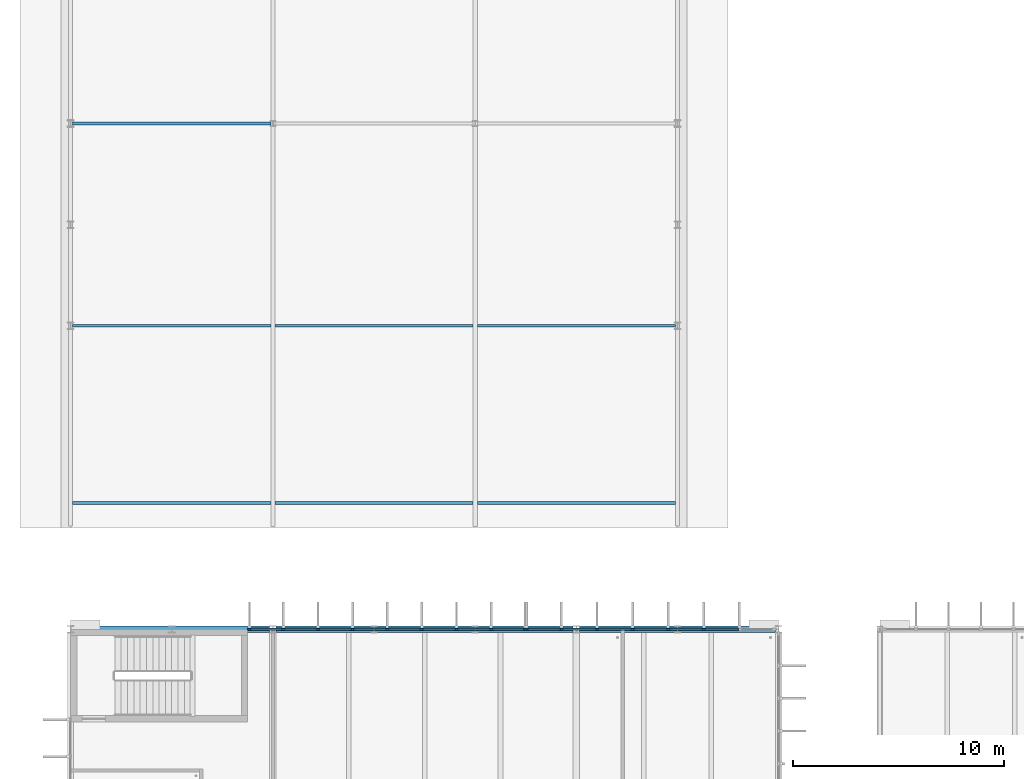
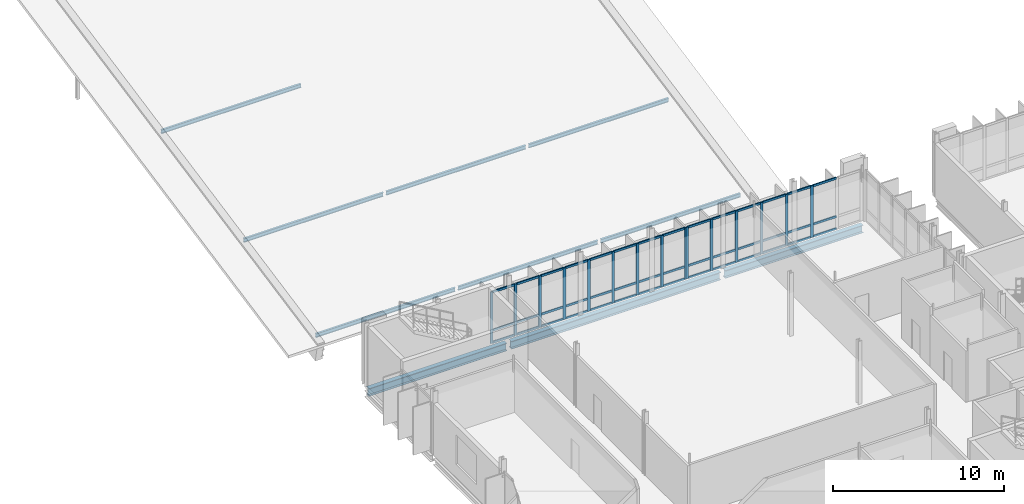
# One storey, part 19 of 59: 64 members, 3 beams, 2 elements without a shape of their own.
"""IFC4 building model written with IfcOpenShell, lengths in metres."""

import ifcopenshell
import ifcopenshell.guid

model = None  # the IFC model being written
_history = None  # IfcOwnerHistory: only IFC2X3 demands one
_inside = {}  # id of a spatial element -> (the spatial element, [elements in it])
_under = {}  # id of a project, library or spatial element -> (it, [spatial elements below it])
_declared = {}  # id of a project -> (the project, [libraries it declares])
_typed = {}  # id of a type object -> (the type object, [elements of that type])
_made_of = {}  # id of a material, layer set ... -> (it, [elements and type objects made of it])


def new_model(schema):
    """Start an empty IFC model of exactly this schema.

    Asked for "IFC4X3", IfcOpenShell would pick the latest addendum, in which some entities
    have other attributes; the version numbers below select the first issue.
    IFC2X3 requires an IfcOwnerHistory on every rooted entity: one is made here for all.
    """
    global model, _history
    if schema == "IFC4X3":
        model = ifcopenshell.file(schema_version=(4, 3, 0, 0))
    else:
        model = ifcopenshell.file(schema=schema)
    _inside.clear()
    _under.clear()
    _declared.clear()
    _typed.clear()
    _made_of.clear()
    _history = None
    if model.schema == "IFC2X3":
        org = make("IfcOrganization", Name="unknown")
        user = make(
            "IfcPersonAndOrganization",
            ThePerson=make("IfcPerson", FamilyName="unknown"),
            TheOrganization=org,
        )
        app = make(
            "IfcApplication",
            ApplicationDeveloper=org,
            Version="unknown",
            ApplicationFullName="unknown",
            ApplicationIdentifier="unknown",
        )
        _history = make(
            "IfcOwnerHistory",
            OwningUser=user,
            OwningApplication=app,
            ChangeAction="ADDED",
            CreationDate=0,
        )
    return model


def make(cls, **values):
    """One entity of the class cls with the attributes given. An attribute that is None is left unset."""
    return model.create_entity(
        cls, **{name: value for name, value in values.items() if value is not None}
    )


def rooted(cls, **values):
    """An entity with a GlobalId (a new one), such as an element, a storey or a relation."""
    return make(cls, GlobalId=ifcopenshell.guid.new(), OwnerHistory=_history, **values)


def si_unit(unit_type, name, prefix=None):
    """IfcSIUnit, for example si_unit("LENGTHUNIT", "METRE", prefix="MILLI")."""
    return make("IfcSIUnit", UnitType=unit_type, Prefix=prefix, Name=name)


def assignment(units):
    """IfcUnitAssignment: the units of a project."""
    return None if units is None else make("IfcUnitAssignment", Units=units)


def point(xyz):
    """IfcCartesianPoint."""
    return None if xyz is None else make("IfcCartesianPoint", Coordinates=xyz)


def direction(xyz):
    """IfcDirection."""
    return None if xyz is None else make("IfcDirection", DirectionRatios=xyz)


def frame(location, z_axis=None, x_axis=None):
    """IfcAxis2Placement3D, a coordinate frame: its origin and axes. An axis left out is left unset."""
    return make(
        "IfcAxis2Placement3D",
        Location=point(location),
        Axis=direction(z_axis),
        RefDirection=direction(x_axis),
    )


def frame_2d(location, x_axis=None):
    """IfcAxis2Placement2D, a coordinate frame in the plane: its origin and x axis."""
    return make(
        "IfcAxis2Placement2D", Location=point(location), RefDirection=direction(x_axis)
    )


def origin():
    """The frame at (0, 0, 0) with its axes left unset."""
    return frame((0.0, 0.0, 0.0))


def origin_2d():
    """The frame at (0, 0) in the plane with its x axis left unset."""
    return frame_2d((0.0, 0.0))


def place(relative_to, where):
    """IfcLocalPlacement: puts the frame where relative to a parent placement (None: the world)."""
    return make(
        "IfcLocalPlacement", PlacementRelTo=relative_to, RelativePlacement=where
    )


def context(
    kind, dimensions, precision=None, world=None, true_north=None, identifier=None
):
    """IfcGeometricRepresentationContext, for example the 3D "Model" context."""
    return make(
        "IfcGeometricRepresentationContext",
        ContextIdentifier=identifier,
        ContextType=kind,
        CoordinateSpaceDimension=dimensions,
        Precision=precision,
        WorldCoordinateSystem=world,
        TrueNorth=true_north,
    )


def subcontext(parent, identifier, kind, view, scale=None):
    """IfcGeometricRepresentationSubContext, for example "Body" below "Model"."""
    return make(
        "IfcGeometricRepresentationSubContext",
        ContextIdentifier=identifier,
        ContextType=kind,
        ParentContext=parent,
        TargetScale=scale,
        TargetView=view,
    )


def project(units=None, contexts=None):
    """IfcProject with its units and contexts."""
    return rooted(
        "IfcProject",
        Name="project",
        RepresentationContexts=contexts,
        UnitsInContext=assignment(units),
    )


def spatial(cls, under=None, at=None, **own):
    """A site, building, storey or space (cls), placed at a placement, below another one or the project."""
    s = rooted(cls, ObjectPlacement=at, **own)
    if under is not None:
        _under.setdefault(under.id(), (under, []))[1].append(s)
    return s


def profile(cls, at=None, kind="AREA", **sizes):
    """A parametric profile (cls). Its sizes go by their IFC names, for example OverallWidth=200.0."""
    return make(cls, ProfileType=kind, Position=at, **sizes)


def rectangle(**sizes):
    """IfcRectangleProfileDef."""
    return profile("IfcRectangleProfileDef", **sizes)


def i_section(**sizes):
    """IfcIShapeProfileDef."""
    return profile("IfcIShapeProfileDef", **sizes)


def extrude(swept, where, along, depth):
    """IfcExtrudedAreaSolid: the profile swept, set in the frame where, extruded along a direction by depth."""
    return make(
        "IfcExtrudedAreaSolid",
        SweptArea=swept,
        Position=where,
        ExtrudedDirection=direction(along),
        Depth=depth,
    )


def shape(context_of_items, identifier, shape_type, items):
    """IfcShapeRepresentation: the items that make up one representation, for example the "Body"."""
    return make(
        "IfcShapeRepresentation",
        ContextOfItems=context_of_items,
        RepresentationIdentifier=identifier,
        RepresentationType=shape_type,
        Items=items,
    )


def material(Name=None, Category=None):
    """IfcMaterial."""
    return make("IfcMaterial", Name=Name, Category=Category)


def material_profile(
    of_material, cross_section, Name=None, Category=None, Priority=None
):
    """IfcMaterialProfile: a cross section and its material."""
    return make(
        "IfcMaterialProfile",
        Name=Name,
        Material=of_material,
        Profile=cross_section,
        Priority=Priority,
        Category=Category,
    )


def profile_set(profiles, Name=None, composite=None):
    """IfcMaterialProfileSet."""
    return make(
        "IfcMaterialProfileSet",
        Name=Name,
        MaterialProfiles=profiles,
        CompositeProfile=composite,
    )


def made_of(thing, what):
    """Note that an element or type object is made of a material, layer set ...; save() writes the relation."""
    if what is not None:
        _made_of.setdefault(what.id(), (what, []))[1].append(thing)
    return thing


def type_object(cls, material=None, **own):
    """A type object (cls), such as IfcWallType, which elements share."""
    return made_of(rooted(cls, **own), material)


def element(
    cls,
    number,
    at=None,
    inside=None,
    cuts=None,
    type_object=None,
    material=None,
    context=None,
    identifier="Body",
    shape_type=None,
    held_by="IfcProductDefinitionShape",
    body=None,
    shapes=None,
    **own,
):
    """One element of the class cls, such as IfcWall. Its Tag is "e" and its number.

    at: its placement. inside: the storey or other place that contains it. cuts: it is an
    opening in that element (IfcRelVoidsElement). A single representation is given by context,
    identifier, shape_type and body (its items); several are given by shapes. held_by: the class
    of the entity that holds the representations. save() writes the other relations.
    """
    e = rooted(cls, Tag="e%d" % number, ObjectPlacement=at, **own)
    if body is not None:
        shapes = [shape(context, identifier, shape_type, body)]
    if shapes is not None:
        e.Representation = make(held_by, Representations=shapes)
    if inside is not None:
        _inside.setdefault(inside.id(), (inside, []))[1].append(e)
    if cuts is not None:
        rooted(
            "IfcRelVoidsElement", RelatingBuildingElement=cuts, RelatedOpeningElement=e
        )
    if type_object is not None:
        _typed.setdefault(type_object.id(), (type_object, []))[1].append(e)
    return made_of(e, material)


def aggregate(whole, parts):
    """IfcRelAggregates: a whole, such as a stair, and the parts it consists of."""
    return rooted("IfcRelAggregates", RelatingObject=whole, RelatedObjects=parts)


def save(model, path):
    """Write the relations noted so far, then the file.

    IfcRelAggregates (storeys below a building ...), IfcRelContainedInSpatialStructure (elements
    in a storey), IfcRelDefinesByType, IfcRelAssociatesMaterial and IfcRelDeclares: one each for
    every whole, place, type object, material and project.
    """
    for whole, parts in _under.values():
        aggregate(whole, parts)
    for where, things in _inside.values():
        rooted(
            "IfcRelContainedInSpatialStructure",
            RelatedElements=things,
            RelatingStructure=where,
        )
    for kind, things in _typed.values():
        rooted("IfcRelDefinesByType", RelatedObjects=things, RelatingType=kind)
    for what, things in _made_of.values():
        rooted("IfcRelAssociatesMaterial", RelatedObjects=things, RelatingMaterial=what)
    for by, libraries in _declared.values():
        rooted("IfcRelDeclares", RelatingContext=by, RelatedDefinitions=libraries)
    model.write(path)


model = new_model("IFC4")

# Units and contexts
model_context = context("Model", 3, precision=1e-05, world=origin(), true_north=direction((0.0, 1.0)))
body_context = subcontext(model_context, "Body", "Model", "MODEL_VIEW")
ifc_project = project(units=[si_unit("LENGTHUNIT", "METRE"), si_unit("AREAUNIT", "SQUARE_METRE"), si_unit("VOLUMEUNIT", "CUBIC_METRE"), si_unit("PLANEANGLEUNIT", "RADIAN"), si_unit("MASSUNIT", "GRAM", prefix="KILO")], contexts=[model_context])

# Site, building, storey
site_placement = place(None, origin())
site = spatial("IfcSite", under=ifc_project, at=site_placement, CompositionType="ELEMENT")
building_placement = place(site_placement, origin())
building = spatial("IfcBuilding", under=site, at=building_placement, Name="Dunescarp Central Library", CompositionType="ELEMENT")
storey_placement = place(building_placement, frame((0.0, 0.0, 18.60009765625)))
storey = spatial("IfcBuildingStorey", under=building, at=storey_placement, Name="L04", CompositionType="ELEMENT", Elevation=18.60009765625)

# Curtain wall, members
ifc_material_1 = material(Name="Marine-grade anodised aluminium 6063-T6", Category="aluminium")
curtain_wall_type = type_object("IfcCurtainWallType", Name="ARC-CW-STICK", PredefinedType="NOTDEFINED", material=ifc_material_1)
curtain_wall_1_placement = place(storey_placement, origin())
curtain_wall_1 = element("IfcCurtainWall", 1, at=curtain_wall_1_placement, inside=storey, type_object=curtain_wall_type, Name="L04 curtain wall CW-V1-026", PredefinedType="NOTDEFINED")
ifc_material_profile_1 = material_profile(ifc_material_1, rectangle(XDim=0.080078125, YDim=0.179931640625, at=origin_2d()), Name="AL 80x180")
ifc_profile_set_1 = profile_set([ifc_material_profile_1], Name="Marine-grade anodised aluminium 6063-T6")
member_type_1 = type_object("IfcMemberType", Name="ARC-CWM-180", PredefinedType="MULLION", material=ifc_profile_set_1)
member_1_placement = place(storey_placement, frame((21.639892578125, 36.800048828125, 0.0), z_axis=(0.0, 0.0, 1.0), x_axis=(0.0, 1.0, 0.0)))
member_1 = element("IfcMember", 2, at=member_1_placement, type_object=member_type_1, Name="CW-V1-026 mullion 1", PredefinedType="MULLION", context=body_context, shape_type="SweptSolid", body=[
    extrude(rectangle(XDim=0.080078125, YDim=0.179931640625, at=origin_2d()), origin(), (0.0, 0.0, 1.0), 3.664794921875),
])
member_2_placement = place(storey_placement, frame((23.289306640625, 36.800048828125, 0.0), z_axis=(0.0, 0.0, 1.0), x_axis=(0.0, 1.0, 0.0)))
member_2 = element("IfcMember", 3, at=member_2_placement, type_object=member_type_1, Name="CW-V1-026 mullion 2", PredefinedType="MULLION", context=body_context, shape_type="SweptSolid", body=[
    extrude(rectangle(XDim=0.080078125, YDim=0.179931640625, at=origin_2d()), origin(), (0.0, 0.0, 1.0), 3.664794921875),
])
member_3_placement = place(storey_placement, frame((24.978515625, 36.800048828125, 0.0), z_axis=(0.0, 0.0, 1.0), x_axis=(0.0, 1.0, 0.0)))
member_3 = element("IfcMember", 4, at=member_3_placement, type_object=member_type_1, Name="CW-V1-026 mullion 3", PredefinedType="MULLION", context=body_context, shape_type="SweptSolid", body=[
    extrude(rectangle(XDim=0.080078125, YDim=0.179931640625, at=origin_2d()), origin(), (0.0, 0.0, 1.0), 3.664794921875),
])
member_4_placement = place(storey_placement, frame((26.66796875, 36.800048828125, 0.0), z_axis=(0.0, 0.0, 1.0), x_axis=(0.0, 1.0, 0.0)))
member_4 = element("IfcMember", 5, at=member_4_placement, type_object=member_type_1, Name="CW-V1-026 mullion 4", PredefinedType="MULLION", context=body_context, shape_type="SweptSolid", body=[
    extrude(rectangle(XDim=0.080078125, YDim=0.179931640625, at=origin_2d()), origin(), (0.0, 0.0, 1.0), 3.664794921875),
])
member_5_placement = place(storey_placement, frame((28.357177734375, 36.800048828125, 0.0), z_axis=(0.0, 0.0, 1.0), x_axis=(0.0, 1.0, 0.0)))
member_5 = element("IfcMember", 6, at=member_5_placement, type_object=member_type_1, Name="CW-V1-026 mullion 5", PredefinedType="MULLION", context=body_context, shape_type="SweptSolid", body=[
    extrude(rectangle(XDim=0.080078125, YDim=0.179931640625, at=origin_2d()), origin(), (0.0, 0.0, 1.0), 3.664794921875),
])
member_6_placement = place(storey_placement, frame((30.04638671875, 36.800048828125, 0.0), z_axis=(0.0, 0.0, 1.0), x_axis=(0.0, 1.0, 0.0)))
member_6 = element("IfcMember", 7, at=member_6_placement, type_object=member_type_1, Name="CW-V1-026 mullion 6", PredefinedType="MULLION", context=body_context, shape_type="SweptSolid", body=[
    extrude(rectangle(XDim=0.080078125, YDim=0.179931640625, at=origin_2d()), origin(), (0.0, 0.0, 1.0), 3.664794921875),
])

curtain_wall_2_placement = place(storey_placement, origin())
curtain_wall_2 = element("IfcCurtainWall", 8, at=curtain_wall_2_placement, inside=storey, type_object=curtain_wall_type, Name="L04 curtain wall CW-V1-027", PredefinedType="NOTDEFINED")
member_7_placement = place(storey_placement, frame((8.489990234375, 36.800048828125, 0.0), z_axis=(0.0, 0.0, 1.0), x_axis=(0.0, 1.0, 0.0)))
member_7 = element("IfcMember", 9, at=member_7_placement, type_object=member_type_1, Name="CW-V1-027 mullion 1", PredefinedType="MULLION", context=body_context, shape_type="SweptSolid", body=[
    extrude(rectangle(XDim=0.080078125, YDim=0.179931640625, at=origin_2d()), origin(), (0.0, 0.0, 1.0), 3.664794921875),
])
member_8_placement = place(storey_placement, frame((10.09375, 36.800048828125, 0.0), z_axis=(0.0, 0.0, 1.0), x_axis=(0.0, 1.0, 0.0)))
member_8 = element("IfcMember", 10, at=member_8_placement, type_object=member_type_1, Name="CW-V1-027 mullion 2", PredefinedType="MULLION", context=body_context, shape_type="SweptSolid", body=[
    extrude(rectangle(XDim=0.080078125, YDim=0.179931640625, at=origin_2d()), origin(), (0.0, 0.0, 1.0), 3.664794921875),
])
member_9_placement = place(storey_placement, frame((11.737548828125, 36.800048828125, 0.0), z_axis=(0.0, 0.0, 1.0), x_axis=(0.0, 1.0, 0.0)))
member_9 = element("IfcMember", 11, at=member_9_placement, type_object=member_type_1, Name="CW-V1-027 mullion 3", PredefinedType="MULLION", context=body_context, shape_type="SweptSolid", body=[
    extrude(rectangle(XDim=0.080078125, YDim=0.179931640625, at=origin_2d()), origin(), (0.0, 0.0, 1.0), 3.664794921875),
])
member_10_placement = place(storey_placement, frame((13.38134765625, 36.800048828125, 0.0), z_axis=(0.0, 0.0, 1.0), x_axis=(0.0, 1.0, 0.0)))
member_10 = element("IfcMember", 12, at=member_10_placement, type_object=member_type_1, Name="CW-V1-027 mullion 4", PredefinedType="MULLION", context=body_context, shape_type="SweptSolid", body=[
    extrude(rectangle(XDim=0.080078125, YDim=0.179931640625, at=origin_2d()), origin(), (0.0, 0.0, 1.0), 3.664794921875),
])
member_11_placement = place(storey_placement, frame((15.02490234375, 36.800048828125, 0.0), z_axis=(0.0, 0.0, 1.0), x_axis=(0.0, 1.0, 0.0)))
member_11 = element("IfcMember", 13, at=member_11_placement, type_object=member_type_1, Name="CW-V1-027 mullion 5", PredefinedType="MULLION", context=body_context, shape_type="SweptSolid", body=[
    extrude(rectangle(XDim=0.080078125, YDim=0.179931640625, at=origin_2d()), origin(), (0.0, 0.0, 1.0), 3.664794921875),
])
member_12_placement = place(storey_placement, frame((16.668701171875, 36.800048828125, 0.0), z_axis=(0.0, 0.0, 1.0), x_axis=(0.0, 1.0, 0.0)))
member_12 = element("IfcMember", 14, at=member_12_placement, type_object=member_type_1, Name="CW-V1-027 mullion 6", PredefinedType="MULLION", context=body_context, shape_type="SweptSolid", body=[
    extrude(rectangle(XDim=0.080078125, YDim=0.179931640625, at=origin_2d()), origin(), (0.0, 0.0, 1.0), 3.664794921875),
])
member_13_placement = place(storey_placement, frame((18.3125, 36.800048828125, 0.0), z_axis=(0.0, 0.0, 1.0), x_axis=(0.0, 1.0, 0.0)))
member_13 = element("IfcMember", 15, at=member_13_placement, type_object=member_type_1, Name="CW-V1-027 mullion 7", PredefinedType="MULLION", context=body_context, shape_type="SweptSolid", body=[
    extrude(rectangle(XDim=0.080078125, YDim=0.179931640625, at=origin_2d()), origin(), (0.0, 0.0, 1.0), 3.664794921875),
])
member_14_placement = place(storey_placement, frame((19.956298828125, 36.800048828125, 0.0), z_axis=(0.0, 0.0, 1.0), x_axis=(0.0, 1.0, 0.0)))
member_14 = element("IfcMember", 16, at=member_14_placement, type_object=member_type_1, Name="CW-V1-027 mullion 8", PredefinedType="MULLION", context=body_context, shape_type="SweptSolid", body=[
    extrude(rectangle(XDim=0.080078125, YDim=0.179931640625, at=origin_2d()), origin(), (0.0, 0.0, 1.0), 3.664794921875),
])
member_15_placement = place(storey_placement, frame((21.56005859375, 36.800048828125, 0.0), z_axis=(0.0, 0.0, 1.0), x_axis=(0.0, 1.0, 0.0)))
member_15 = element("IfcMember", 17, at=member_15_placement, type_object=member_type_1, Name="CW-V1-027 mullion 9", PredefinedType="MULLION", context=body_context, shape_type="SweptSolid", body=[
    extrude(rectangle(XDim=0.080078125, YDim=0.179931640625, at=origin_2d()), origin(), (0.0, 0.0, 1.0), 3.664794921875),
])

# Member
ifc_material_profile_2 = material_profile(ifc_material_1, rectangle(XDim=0.080078125, YDim=0.14990234375, at=origin_2d()), Name="AL 80x150")
ifc_profile_set_2 = profile_set([ifc_material_profile_2], Name="Marine-grade anodised aluminium 6063-T6")
member_type_2 = type_object("IfcMemberType", Name="ARC-CWT-150", PredefinedType="USERDEFINED", material=ifc_profile_set_2)
member_16_placement = place(storey_placement, frame((21.679931640625, 36.800048828125, 0.039794921875), z_axis=(1.0, 0.0, 0.0), x_axis=(0.0, 1.0, 0.0)))
member_16 = element("IfcMember", 18, at=member_16_placement, type_object=member_type_2, Name="CW-V1-026 transom 1.1", ObjectType="TRANSOM", PredefinedType="USERDEFINED", context=body_context, shape_type="SweptSolid", body=[
    extrude(rectangle(XDim=0.080078125, YDim=0.14990234375, at=origin_2d()), origin(), (0.0, 0.0, 1.0), 1.5693359375),
])

member_17_placement = place(storey_placement, frame((21.679931640625, 36.800048828125, 0.89990234375), z_axis=(1.0, 0.0, 0.0), x_axis=(0.0, 1.0, 0.0)))
member_17 = element("IfcMember", 19, at=member_17_placement, type_object=member_type_2, Name="CW-V1-026 transom 1.2", ObjectType="TRANSOM", PredefinedType="USERDEFINED", context=body_context, shape_type="SweptSolid", body=[
    extrude(rectangle(XDim=0.080078125, YDim=0.14990234375, at=origin_2d()), origin(), (0.0, 0.0, 1.0), 1.5693359375),
])

member_18_placement = place(storey_placement, frame((21.679931640625, 36.800048828125, 3.625), z_axis=(1.0, 0.0, 0.0), x_axis=(0.0, 1.0, 0.0)))
member_18 = element("IfcMember", 20, at=member_18_placement, type_object=member_type_2, Name="CW-V1-026 transom 1.3", ObjectType="TRANSOM", PredefinedType="USERDEFINED", context=body_context, shape_type="SweptSolid", body=[
    extrude(rectangle(XDim=0.080078125, YDim=0.14990234375, at=origin_2d()), origin(), (0.0, 0.0, 1.0), 1.5693359375),
])

member_19_placement = place(storey_placement, frame((23.329345703125, 36.800048828125, 0.039794921875), z_axis=(1.0, 0.0, 0.0), x_axis=(0.0, 1.0, 0.0)))
member_19 = element("IfcMember", 21, at=member_19_placement, type_object=member_type_2, Name="CW-V1-026 transom 2.1", ObjectType="TRANSOM", PredefinedType="USERDEFINED", context=body_context, shape_type="SweptSolid", body=[
    extrude(rectangle(XDim=0.080078125, YDim=0.14990234375, at=origin_2d()), origin(), (0.0, 0.0, 1.0), 1.609130859375),
])

member_20_placement = place(storey_placement, frame((23.329345703125, 36.800048828125, 0.89990234375), z_axis=(1.0, 0.0, 0.0), x_axis=(0.0, 1.0, 0.0)))
member_20 = element("IfcMember", 22, at=member_20_placement, type_object=member_type_2, Name="CW-V1-026 transom 2.2", ObjectType="TRANSOM", PredefinedType="USERDEFINED", context=body_context, shape_type="SweptSolid", body=[
    extrude(rectangle(XDim=0.080078125, YDim=0.14990234375, at=origin_2d()), origin(), (0.0, 0.0, 1.0), 1.609130859375),
])

member_21_placement = place(storey_placement, frame((23.329345703125, 36.800048828125, 3.625), z_axis=(1.0, 0.0, 0.0), x_axis=(0.0, 1.0, 0.0)))
member_21 = element("IfcMember", 23, at=member_21_placement, type_object=member_type_2, Name="CW-V1-026 transom 2.3", ObjectType="TRANSOM", PredefinedType="USERDEFINED", context=body_context, shape_type="SweptSolid", body=[
    extrude(rectangle(XDim=0.080078125, YDim=0.14990234375, at=origin_2d()), origin(), (0.0, 0.0, 1.0), 1.609130859375),
])

member_22_placement = place(storey_placement, frame((25.0185546875, 36.800048828125, 0.039794921875), z_axis=(1.0, 0.0, 0.0), x_axis=(0.0, 1.0, 0.0)))
member_22 = element("IfcMember", 24, at=member_22_placement, type_object=member_type_2, Name="CW-V1-026 transom 3.1", ObjectType="TRANSOM", PredefinedType="USERDEFINED", context=body_context, shape_type="SweptSolid", body=[
    extrude(rectangle(XDim=0.080078125, YDim=0.14990234375, at=origin_2d()), origin(), (0.0, 0.0, 1.0), 1.609375),
])

member_23_placement = place(storey_placement, frame((25.0185546875, 36.800048828125, 0.89990234375), z_axis=(1.0, 0.0, 0.0), x_axis=(0.0, 1.0, 0.0)))
member_23 = element("IfcMember", 25, at=member_23_placement, type_object=member_type_2, Name="CW-V1-026 transom 3.2", ObjectType="TRANSOM", PredefinedType="USERDEFINED", context=body_context, shape_type="SweptSolid", body=[
    extrude(rectangle(XDim=0.080078125, YDim=0.14990234375, at=origin_2d()), origin(), (0.0, 0.0, 1.0), 1.609375),
])

member_24_placement = place(storey_placement, frame((25.0185546875, 36.800048828125, 3.625), z_axis=(1.0, 0.0, 0.0), x_axis=(0.0, 1.0, 0.0)))
member_24 = element("IfcMember", 26, at=member_24_placement, type_object=member_type_2, Name="CW-V1-026 transom 3.3", ObjectType="TRANSOM", PredefinedType="USERDEFINED", context=body_context, shape_type="SweptSolid", body=[
    extrude(rectangle(XDim=0.080078125, YDim=0.14990234375, at=origin_2d()), origin(), (0.0, 0.0, 1.0), 1.609375),
])

member_25_placement = place(storey_placement, frame((26.707763671875, 36.800048828125, 0.039794921875), z_axis=(1.0, 0.0, 0.0), x_axis=(0.0, 1.0, 0.0)))
member_25 = element("IfcMember", 27, at=member_25_placement, type_object=member_type_2, Name="CW-V1-026 transom 4.1", ObjectType="TRANSOM", PredefinedType="USERDEFINED", context=body_context, shape_type="SweptSolid", body=[
    extrude(rectangle(XDim=0.080078125, YDim=0.14990234375, at=origin_2d()), origin(), (0.0, 0.0, 1.0), 1.609375),
])

member_26_placement = place(storey_placement, frame((26.707763671875, 36.800048828125, 0.89990234375), z_axis=(1.0, 0.0, 0.0), x_axis=(0.0, 1.0, 0.0)))
member_26 = element("IfcMember", 28, at=member_26_placement, type_object=member_type_2, Name="CW-V1-026 transom 4.2", ObjectType="TRANSOM", PredefinedType="USERDEFINED", context=body_context, shape_type="SweptSolid", body=[
    extrude(rectangle(XDim=0.080078125, YDim=0.14990234375, at=origin_2d()), origin(), (0.0, 0.0, 1.0), 1.609375),
])

member_27_placement = place(storey_placement, frame((26.707763671875, 36.800048828125, 3.625), z_axis=(1.0, 0.0, 0.0), x_axis=(0.0, 1.0, 0.0)))
member_27 = element("IfcMember", 29, at=member_27_placement, type_object=member_type_2, Name="CW-V1-026 transom 4.3", ObjectType="TRANSOM", PredefinedType="USERDEFINED", context=body_context, shape_type="SweptSolid", body=[
    extrude(rectangle(XDim=0.080078125, YDim=0.14990234375, at=origin_2d()), origin(), (0.0, 0.0, 1.0), 1.609375),
])

member_28_placement = place(storey_placement, frame((28.397216796875, 36.800048828125, 0.039794921875), z_axis=(1.0, 0.0, 0.0), x_axis=(0.0, 1.0, 0.0)))
member_28 = element("IfcMember", 30, at=member_28_placement, type_object=member_type_2, Name="CW-V1-026 transom 5.1", ObjectType="TRANSOM", PredefinedType="USERDEFINED", context=body_context, shape_type="SweptSolid", body=[
    extrude(rectangle(XDim=0.080078125, YDim=0.14990234375, at=origin_2d()), origin(), (0.0, 0.0, 1.0), 1.609130859375),
])

member_29_placement = place(storey_placement, frame((28.397216796875, 36.800048828125, 0.89990234375), z_axis=(1.0, 0.0, 0.0), x_axis=(0.0, 1.0, 0.0)))
member_29 = element("IfcMember", 31, at=member_29_placement, type_object=member_type_2, Name="CW-V1-026 transom 5.2", ObjectType="TRANSOM", PredefinedType="USERDEFINED", context=body_context, shape_type="SweptSolid", body=[
    extrude(rectangle(XDim=0.080078125, YDim=0.14990234375, at=origin_2d()), origin(), (0.0, 0.0, 1.0), 1.609130859375),
])

member_30_placement = place(storey_placement, frame((28.397216796875, 36.800048828125, 3.625), z_axis=(1.0, 0.0, 0.0), x_axis=(0.0, 1.0, 0.0)))
member_30 = element("IfcMember", 32, at=member_30_placement, type_object=member_type_2, Name="CW-V1-026 transom 5.3", ObjectType="TRANSOM", PredefinedType="USERDEFINED", context=body_context, shape_type="SweptSolid", body=[
    extrude(rectangle(XDim=0.080078125, YDim=0.14990234375, at=origin_2d()), origin(), (0.0, 0.0, 1.0), 1.609130859375),
])

member_31_placement = place(storey_placement, frame((30.08642578125, 36.800048828125, 0.039794921875), z_axis=(1.0, 0.0, 0.0), x_axis=(0.0, 1.0, 0.0)))
member_31 = element("IfcMember", 33, at=member_31_placement, type_object=member_type_2, Name="CW-V1-026 transom 6.1", ObjectType="TRANSOM", PredefinedType="USERDEFINED", context=body_context, shape_type="SweptSolid", body=[
    extrude(rectangle(XDim=0.080078125, YDim=0.14990234375, at=origin_2d()), origin(), (0.0, 0.0, 1.0), 1.609375),
])

member_32_placement = place(storey_placement, frame((30.08642578125, 36.800048828125, 0.89990234375), z_axis=(1.0, 0.0, 0.0), x_axis=(0.0, 1.0, 0.0)))
member_32 = element("IfcMember", 34, at=member_32_placement, type_object=member_type_2, Name="CW-V1-026 transom 6.2", ObjectType="TRANSOM", PredefinedType="USERDEFINED", context=body_context, shape_type="SweptSolid", body=[
    extrude(rectangle(XDim=0.080078125, YDim=0.14990234375, at=origin_2d()), origin(), (0.0, 0.0, 1.0), 1.609375),
])

member_33_placement = place(storey_placement, frame((30.08642578125, 36.800048828125, 3.625), z_axis=(1.0, 0.0, 0.0), x_axis=(0.0, 1.0, 0.0)))
member_33 = element("IfcMember", 35, at=member_33_placement, type_object=member_type_2, Name="CW-V1-026 transom 6.3", ObjectType="TRANSOM", PredefinedType="USERDEFINED", context=body_context, shape_type="SweptSolid", body=[
    extrude(rectangle(XDim=0.080078125, YDim=0.14990234375, at=origin_2d()), origin(), (0.0, 0.0, 1.0), 1.609375),
])

aggregate(curtain_wall_1, [member_1, member_2, member_3, member_4, member_5, member_6, member_16, member_17, member_18, member_19, member_20, member_21, member_22, member_23, member_24, member_25, member_26, member_27, member_28, member_29, member_30, member_31, member_32, member_33])

member_34_placement = place(storey_placement, frame((8.530029296875, 36.800048828125, 0.039794921875), z_axis=(1.0, 0.0, 0.0), x_axis=(0.0, 1.0, 0.0)))
member_34 = element("IfcMember", 36, at=member_34_placement, type_object=member_type_2, Name="CW-V1-027 transom 1.1", ObjectType="TRANSOM", PredefinedType="USERDEFINED", context=body_context, shape_type="SweptSolid", body=[
    extrude(rectangle(XDim=0.080078125, YDim=0.14990234375, at=origin_2d()), origin(), (0.0, 0.0, 1.0), 1.523681640625),
])

member_35_placement = place(storey_placement, frame((8.530029296875, 36.800048828125, 0.89990234375), z_axis=(1.0, 0.0, 0.0), x_axis=(0.0, 1.0, 0.0)))
member_35 = element("IfcMember", 37, at=member_35_placement, type_object=member_type_2, Name="CW-V1-027 transom 1.2", ObjectType="TRANSOM", PredefinedType="USERDEFINED", context=body_context, shape_type="SweptSolid", body=[
    extrude(rectangle(XDim=0.080078125, YDim=0.14990234375, at=origin_2d()), origin(), (0.0, 0.0, 1.0), 1.523681640625),
])

member_36_placement = place(storey_placement, frame((8.530029296875, 36.800048828125, 3.625), z_axis=(1.0, 0.0, 0.0), x_axis=(0.0, 1.0, 0.0)))
member_36 = element("IfcMember", 38, at=member_36_placement, type_object=member_type_2, Name="CW-V1-027 transom 1.3", ObjectType="TRANSOM", PredefinedType="USERDEFINED", context=body_context, shape_type="SweptSolid", body=[
    extrude(rectangle(XDim=0.080078125, YDim=0.14990234375, at=origin_2d()), origin(), (0.0, 0.0, 1.0), 1.523681640625),
])

member_37_placement = place(storey_placement, frame((10.1337890625, 36.800048828125, 0.039794921875), z_axis=(1.0, 0.0, 0.0), x_axis=(0.0, 1.0, 0.0)))
member_37 = element("IfcMember", 39, at=member_37_placement, type_object=member_type_2, Name="CW-V1-027 transom 2.1", ObjectType="TRANSOM", PredefinedType="USERDEFINED", context=body_context, shape_type="SweptSolid", body=[
    extrude(rectangle(XDim=0.080078125, YDim=0.14990234375, at=origin_2d()), origin(), (0.0, 0.0, 1.0), 1.563720703125),
])

member_38_placement = place(storey_placement, frame((10.1337890625, 36.800048828125, 0.89990234375), z_axis=(1.0, 0.0, 0.0), x_axis=(0.0, 1.0, 0.0)))
member_38 = element("IfcMember", 40, at=member_38_placement, type_object=member_type_2, Name="CW-V1-027 transom 2.2", ObjectType="TRANSOM", PredefinedType="USERDEFINED", context=body_context, shape_type="SweptSolid", body=[
    extrude(rectangle(XDim=0.080078125, YDim=0.14990234375, at=origin_2d()), origin(), (0.0, 0.0, 1.0), 1.563720703125),
])

member_39_placement = place(storey_placement, frame((10.1337890625, 36.800048828125, 3.625), z_axis=(1.0, 0.0, 0.0), x_axis=(0.0, 1.0, 0.0)))
member_39 = element("IfcMember", 41, at=member_39_placement, type_object=member_type_2, Name="CW-V1-027 transom 2.3", ObjectType="TRANSOM", PredefinedType="USERDEFINED", context=body_context, shape_type="SweptSolid", body=[
    extrude(rectangle(XDim=0.080078125, YDim=0.14990234375, at=origin_2d()), origin(), (0.0, 0.0, 1.0), 1.563720703125),
])

member_40_placement = place(storey_placement, frame((11.777587890625, 36.800048828125, 0.039794921875), z_axis=(1.0, 0.0, 0.0), x_axis=(0.0, 1.0, 0.0)))
member_40 = element("IfcMember", 42, at=member_40_placement, type_object=member_type_2, Name="CW-V1-027 transom 3.1", ObjectType="TRANSOM", PredefinedType="USERDEFINED", context=body_context, shape_type="SweptSolid", body=[
    extrude(rectangle(XDim=0.080078125, YDim=0.14990234375, at=origin_2d()), origin(), (0.0, 0.0, 1.0), 1.563720703125),
])

member_41_placement = place(storey_placement, frame((11.777587890625, 36.800048828125, 0.89990234375), z_axis=(1.0, 0.0, 0.0), x_axis=(0.0, 1.0, 0.0)))
member_41 = element("IfcMember", 43, at=member_41_placement, type_object=member_type_2, Name="CW-V1-027 transom 3.2", ObjectType="TRANSOM", PredefinedType="USERDEFINED", context=body_context, shape_type="SweptSolid", body=[
    extrude(rectangle(XDim=0.080078125, YDim=0.14990234375, at=origin_2d()), origin(), (0.0, 0.0, 1.0), 1.563720703125),
])

member_42_placement = place(storey_placement, frame((11.777587890625, 36.800048828125, 3.625), z_axis=(1.0, 0.0, 0.0), x_axis=(0.0, 1.0, 0.0)))
member_42 = element("IfcMember", 44, at=member_42_placement, type_object=member_type_2, Name="CW-V1-027 transom 3.3", ObjectType="TRANSOM", PredefinedType="USERDEFINED", context=body_context, shape_type="SweptSolid", body=[
    extrude(rectangle(XDim=0.080078125, YDim=0.14990234375, at=origin_2d()), origin(), (0.0, 0.0, 1.0), 1.563720703125),
])

member_43_placement = place(storey_placement, frame((13.421142578125, 36.800048828125, 0.039794921875), z_axis=(1.0, 0.0, 0.0), x_axis=(0.0, 1.0, 0.0)))
member_43 = element("IfcMember", 45, at=member_43_placement, type_object=member_type_2, Name="CW-V1-027 transom 4.1", ObjectType="TRANSOM", PredefinedType="USERDEFINED", context=body_context, shape_type="SweptSolid", body=[
    extrude(rectangle(XDim=0.080078125, YDim=0.14990234375, at=origin_2d()), origin(), (0.0, 0.0, 1.0), 1.56396484375),
])

member_44_placement = place(storey_placement, frame((13.421142578125, 36.800048828125, 0.89990234375), z_axis=(1.0, 0.0, 0.0), x_axis=(0.0, 1.0, 0.0)))
member_44 = element("IfcMember", 46, at=member_44_placement, type_object=member_type_2, Name="CW-V1-027 transom 4.2", ObjectType="TRANSOM", PredefinedType="USERDEFINED", context=body_context, shape_type="SweptSolid", body=[
    extrude(rectangle(XDim=0.080078125, YDim=0.14990234375, at=origin_2d()), origin(), (0.0, 0.0, 1.0), 1.56396484375),
])

member_45_placement = place(storey_placement, frame((13.421142578125, 36.800048828125, 3.625), z_axis=(1.0, 0.0, 0.0), x_axis=(0.0, 1.0, 0.0)))
member_45 = element("IfcMember", 47, at=member_45_placement, type_object=member_type_2, Name="CW-V1-027 transom 4.3", ObjectType="TRANSOM", PredefinedType="USERDEFINED", context=body_context, shape_type="SweptSolid", body=[
    extrude(rectangle(XDim=0.080078125, YDim=0.14990234375, at=origin_2d()), origin(), (0.0, 0.0, 1.0), 1.56396484375),
])

member_46_placement = place(storey_placement, frame((15.06494140625, 36.800048828125, 0.039794921875), z_axis=(1.0, 0.0, 0.0), x_axis=(0.0, 1.0, 0.0)))
member_46 = element("IfcMember", 48, at=member_46_placement, type_object=member_type_2, Name="CW-V1-027 transom 5.1", ObjectType="TRANSOM", PredefinedType="USERDEFINED", context=body_context, shape_type="SweptSolid", body=[
    extrude(rectangle(XDim=0.080078125, YDim=0.14990234375, at=origin_2d()), origin(), (0.0, 0.0, 1.0), 1.563720703125),
])

member_47_placement = place(storey_placement, frame((15.06494140625, 36.800048828125, 0.89990234375), z_axis=(1.0, 0.0, 0.0), x_axis=(0.0, 1.0, 0.0)))
member_47 = element("IfcMember", 49, at=member_47_placement, type_object=member_type_2, Name="CW-V1-027 transom 5.2", ObjectType="TRANSOM", PredefinedType="USERDEFINED", context=body_context, shape_type="SweptSolid", body=[
    extrude(rectangle(XDim=0.080078125, YDim=0.14990234375, at=origin_2d()), origin(), (0.0, 0.0, 1.0), 1.563720703125),
])

member_48_placement = place(storey_placement, frame((15.06494140625, 36.800048828125, 3.625), z_axis=(1.0, 0.0, 0.0), x_axis=(0.0, 1.0, 0.0)))
member_48 = element("IfcMember", 50, at=member_48_placement, type_object=member_type_2, Name="CW-V1-027 transom 5.3", ObjectType="TRANSOM", PredefinedType="USERDEFINED", context=body_context, shape_type="SweptSolid", body=[
    extrude(rectangle(XDim=0.080078125, YDim=0.14990234375, at=origin_2d()), origin(), (0.0, 0.0, 1.0), 1.563720703125),
])

member_49_placement = place(storey_placement, frame((16.708740234375, 36.800048828125, 0.039794921875), z_axis=(1.0, 0.0, 0.0), x_axis=(0.0, 1.0, 0.0)))
member_49 = element("IfcMember", 51, at=member_49_placement, type_object=member_type_2, Name="CW-V1-027 transom 6.1", ObjectType="TRANSOM", PredefinedType="USERDEFINED", context=body_context, shape_type="SweptSolid", body=[
    extrude(rectangle(XDim=0.080078125, YDim=0.14990234375, at=origin_2d()), origin(), (0.0, 0.0, 1.0), 1.563720703125),
])

member_50_placement = place(storey_placement, frame((16.708740234375, 36.800048828125, 0.89990234375), z_axis=(1.0, 0.0, 0.0), x_axis=(0.0, 1.0, 0.0)))
member_50 = element("IfcMember", 52, at=member_50_placement, type_object=member_type_2, Name="CW-V1-027 transom 6.2", ObjectType="TRANSOM", PredefinedType="USERDEFINED", context=body_context, shape_type="SweptSolid", body=[
    extrude(rectangle(XDim=0.080078125, YDim=0.14990234375, at=origin_2d()), origin(), (0.0, 0.0, 1.0), 1.563720703125),
])

member_51_placement = place(storey_placement, frame((16.708740234375, 36.800048828125, 3.625), z_axis=(1.0, 0.0, 0.0), x_axis=(0.0, 1.0, 0.0)))
member_51 = element("IfcMember", 53, at=member_51_placement, type_object=member_type_2, Name="CW-V1-027 transom 6.3", ObjectType="TRANSOM", PredefinedType="USERDEFINED", context=body_context, shape_type="SweptSolid", body=[
    extrude(rectangle(XDim=0.080078125, YDim=0.14990234375, at=origin_2d()), origin(), (0.0, 0.0, 1.0), 1.563720703125),
])

member_52_placement = place(storey_placement, frame((18.3525390625, 36.800048828125, 0.039794921875), z_axis=(1.0, 0.0, 0.0), x_axis=(0.0, 1.0, 0.0)))
member_52 = element("IfcMember", 54, at=member_52_placement, type_object=member_type_2, Name="CW-V1-027 transom 7.1", ObjectType="TRANSOM", PredefinedType="USERDEFINED", context=body_context, shape_type="SweptSolid", body=[
    extrude(rectangle(XDim=0.080078125, YDim=0.14990234375, at=origin_2d()), origin(), (0.0, 0.0, 1.0), 1.563720703125),
])

member_53_placement = place(storey_placement, frame((18.3525390625, 36.800048828125, 0.89990234375), z_axis=(1.0, 0.0, 0.0), x_axis=(0.0, 1.0, 0.0)))
member_53 = element("IfcMember", 55, at=member_53_placement, type_object=member_type_2, Name="CW-V1-027 transom 7.2", ObjectType="TRANSOM", PredefinedType="USERDEFINED", context=body_context, shape_type="SweptSolid", body=[
    extrude(rectangle(XDim=0.080078125, YDim=0.14990234375, at=origin_2d()), origin(), (0.0, 0.0, 1.0), 1.563720703125),
])

member_54_placement = place(storey_placement, frame((18.3525390625, 36.800048828125, 3.625), z_axis=(1.0, 0.0, 0.0), x_axis=(0.0, 1.0, 0.0)))
member_54 = element("IfcMember", 56, at=member_54_placement, type_object=member_type_2, Name="CW-V1-027 transom 7.3", ObjectType="TRANSOM", PredefinedType="USERDEFINED", context=body_context, shape_type="SweptSolid", body=[
    extrude(rectangle(XDim=0.080078125, YDim=0.14990234375, at=origin_2d()), origin(), (0.0, 0.0, 1.0), 1.563720703125),
])

member_55_placement = place(storey_placement, frame((19.996337890625, 36.800048828125, 0.039794921875), z_axis=(1.0, 0.0, 0.0), x_axis=(0.0, 1.0, 0.0)))
member_55 = element("IfcMember", 57, at=member_55_placement, type_object=member_type_2, Name="CW-V1-027 transom 8.1", ObjectType="TRANSOM", PredefinedType="USERDEFINED", context=body_context, shape_type="SweptSolid", body=[
    extrude(rectangle(XDim=0.080078125, YDim=0.14990234375, at=origin_2d()), origin(), (0.0, 0.0, 1.0), 1.523681640625),
])

member_56_placement = place(storey_placement, frame((19.996337890625, 36.800048828125, 0.89990234375), z_axis=(1.0, 0.0, 0.0), x_axis=(0.0, 1.0, 0.0)))
member_56 = element("IfcMember", 58, at=member_56_placement, type_object=member_type_2, Name="CW-V1-027 transom 8.2", ObjectType="TRANSOM", PredefinedType="USERDEFINED", context=body_context, shape_type="SweptSolid", body=[
    extrude(rectangle(XDim=0.080078125, YDim=0.14990234375, at=origin_2d()), origin(), (0.0, 0.0, 1.0), 1.523681640625),
])

member_57_placement = place(storey_placement, frame((19.996337890625, 36.800048828125, 3.625), z_axis=(1.0, 0.0, 0.0), x_axis=(0.0, 1.0, 0.0)))
member_57 = element("IfcMember", 59, at=member_57_placement, type_object=member_type_2, Name="CW-V1-027 transom 8.3", ObjectType="TRANSOM", PredefinedType="USERDEFINED", context=body_context, shape_type="SweptSolid", body=[
    extrude(rectangle(XDim=0.080078125, YDim=0.14990234375, at=origin_2d()), origin(), (0.0, 0.0, 1.0), 1.523681640625),
])

aggregate(curtain_wall_2, [member_7, member_8, member_9, member_10, member_11, member_12, member_13, member_14, member_15, member_34, member_35, member_36, member_37, member_38, member_39, member_40, member_41, member_42, member_43, member_44, member_45, member_46, member_47, member_48, member_49, member_50, member_51, member_52, member_53, member_54, member_55, member_56, member_57])

# Beams
ifc_material_2 = material(Name="Steel S355JR", Category="steel")
ifc_material_profile_3 = material_profile(ifc_material_2, i_section(OverallWidth=0.300048828125, OverallDepth=0.550048828125, WebThickness=0.014892578125, FlangeThickness=0.029052734375, at=origin_2d()), Name="HEB 550")
ifc_profile_set_3 = profile_set([ifc_material_profile_3], Name="Steel S355JR")
beam_type = type_object("IfcBeamType", Name="STR-BM-HEB550", PredefinedType="BEAM", material=ifc_profile_set_3)
beam_1_placement = place(storey_placement, frame((0.153076171875, 36.800048828125, -0.525146484375), z_axis=(1.0, 0.0, 0.0), x_axis=(0.0, 1.0, 0.0)))
element("IfcBeam", 60, at=beam_1_placement, inside=storey, type_object=beam_type, Name="L04 girder BM-L04-0182", PredefinedType="BEAM", context=body_context, shape_type="SweptSolid", body=[
    extrude(i_section(OverallWidth=0.300048828125, OverallDepth=0.550048828125, WebThickness=0.014892578125, FlangeThickness=0.029052734375, at=origin_2d()), origin(), (0.0, 0.0, 1.0), 9.2939453125),
])
beam_2_placement = place(storey_placement, frame((9.7529296875, 36.800048828125, -0.525146484375), z_axis=(1.0, 0.0, 0.0), x_axis=(0.0, 1.0, 0.0)))
element("IfcBeam", 61, at=beam_2_placement, inside=storey, type_object=beam_type, Name="L04 girder BM-L04-0201", PredefinedType="BEAM", context=body_context, shape_type="SweptSolid", body=[
    extrude(i_section(OverallWidth=0.300048828125, OverallDepth=0.550048828125, WebThickness=0.014892578125, FlangeThickness=0.029052734375, at=origin_2d()), origin(), (0.0, 0.0, 1.0), 14.093994140625),
])
beam_3_placement = place(storey_placement, frame((24.153076171875, 36.800048828125, -0.525146484375), z_axis=(1.0, 0.0, 0.0), x_axis=(0.0, 1.0, 0.0)))
element("IfcBeam", 62, at=beam_3_placement, inside=storey, type_object=beam_type, Name="L04 girder BM-L04-0217", PredefinedType="BEAM", context=body_context, shape_type="SweptSolid", body=[
    extrude(i_section(OverallWidth=0.300048828125, OverallDepth=0.550048828125, WebThickness=0.014892578125, FlangeThickness=0.029052734375, at=origin_2d()), origin(), (0.0, 0.0, 1.0), 9.2939453125),
])

# Members
ifc_material_profile_4 = material_profile(ifc_material_2, i_section(OverallWidth=0.135009765625, OverallDepth=0.27001953125, WebThickness=0.006591796875, FlangeThickness=0.01025390625, at=origin_2d()), Name="IPE 270")
ifc_profile_set_4 = profile_set([ifc_material_profile_4], Name="Steel S355JR")
member_type_3 = type_object("IfcMemberType", Name="STR-PR-IPE270", PredefinedType="PURLIN", material=ifc_profile_set_4)
for number, where, z_axis, x_axis, name in (
    (63, (0.096923828125, 42.800048828125, -0.153076171875), (1.0, 0.0, 0.0), (0.0, 1.0, 0.0), "V4 roof purlin PR-V4-034"),
    (64, (9.697021484375, 42.800048828125, -0.153076171875), (1.0, 0.0, 0.0), (0.0, 1.0, 0.0), "V4 roof purlin PR-V4-035"),
):
    element("IfcMember", number, at=place(storey_placement, frame(where, z_axis=z_axis, x_axis=x_axis)), inside=storey, type_object=member_type_3, Name=name, PredefinedType="PURLIN", context=body_context, shape_type="SweptSolid", body=[
        extrude(i_section(OverallWidth=0.135009765625, OverallDepth=0.27001953125, WebThickness=0.006591796875, FlangeThickness=0.01025390625, at=origin_2d()), origin(), (0.0, 0.0, 1.0), 9.406005859375),
    ])
member_58_placement = place(storey_placement, frame((19.297119140625, 42.800048828125, -0.153076171875), z_axis=(1.0, 0.0, 0.0), x_axis=(0.0, 1.0, 0.0)))
element("IfcMember", 65, at=member_58_placement, inside=storey, type_object=member_type_3, Name="V4 roof purlin PR-V4-036", PredefinedType="PURLIN", context=body_context, shape_type="SweptSolid", body=[
    extrude(i_section(OverallWidth=0.135009765625, OverallDepth=0.27001953125, WebThickness=0.006591796875, FlangeThickness=0.01025390625, at=origin_2d()), origin(), (0.0, 0.0, 1.0), 9.40576171875),
])
for number, where, z_axis, x_axis, name in (
    (66, (0.096923828125, 51.199951171875, 1.52685546875), (1.0, 0.0, 0.0), (0.0, 1.0, 0.0), "V4 roof purlin PR-V4-037"),
    (67, (9.697021484375, 51.199951171875, 1.52685546875), (1.0, 0.0, 0.0), (0.0, 1.0, 0.0), "V4 roof purlin PR-V4-038"),
):
    element("IfcMember", number, at=place(storey_placement, frame(where, z_axis=z_axis, x_axis=x_axis)), inside=storey, type_object=member_type_3, Name=name, PredefinedType="PURLIN", context=body_context, shape_type="SweptSolid", body=[
        extrude(i_section(OverallWidth=0.135009765625, OverallDepth=0.27001953125, WebThickness=0.006591796875, FlangeThickness=0.01025390625, at=origin_2d()), origin(), (0.0, 0.0, 1.0), 9.406005859375),
    ])
member_59_placement = place(storey_placement, frame((19.297119140625, 51.199951171875, 1.52685546875), z_axis=(1.0, 0.0, 0.0), x_axis=(0.0, 1.0, 0.0)))
element("IfcMember", 68, at=member_59_placement, inside=storey, type_object=member_type_3, Name="V4 roof purlin PR-V4-039", PredefinedType="PURLIN", context=body_context, shape_type="SweptSolid", body=[
    extrude(i_section(OverallWidth=0.135009765625, OverallDepth=0.27001953125, WebThickness=0.006591796875, FlangeThickness=0.01025390625, at=origin_2d()), origin(), (0.0, 0.0, 1.0), 9.40576171875),
])
member_60_placement = place(storey_placement, frame((0.096923828125, 60.800048828125, 3.447021484375), z_axis=(1.0, 0.0, 0.0), x_axis=(0.0, 1.0, 0.0)))
element("IfcMember", 69, at=member_60_placement, inside=storey, type_object=member_type_3, Name="V4 roof purlin PR-V4-040", PredefinedType="PURLIN", context=body_context, shape_type="SweptSolid", body=[
    extrude(i_section(OverallWidth=0.135009765625, OverallDepth=0.27001953125, WebThickness=0.006591796875, FlangeThickness=0.01025390625, at=origin_2d()), origin(), (0.0, 0.0, 1.0), 9.406005859375),
])

save(model, "model.ifc")
